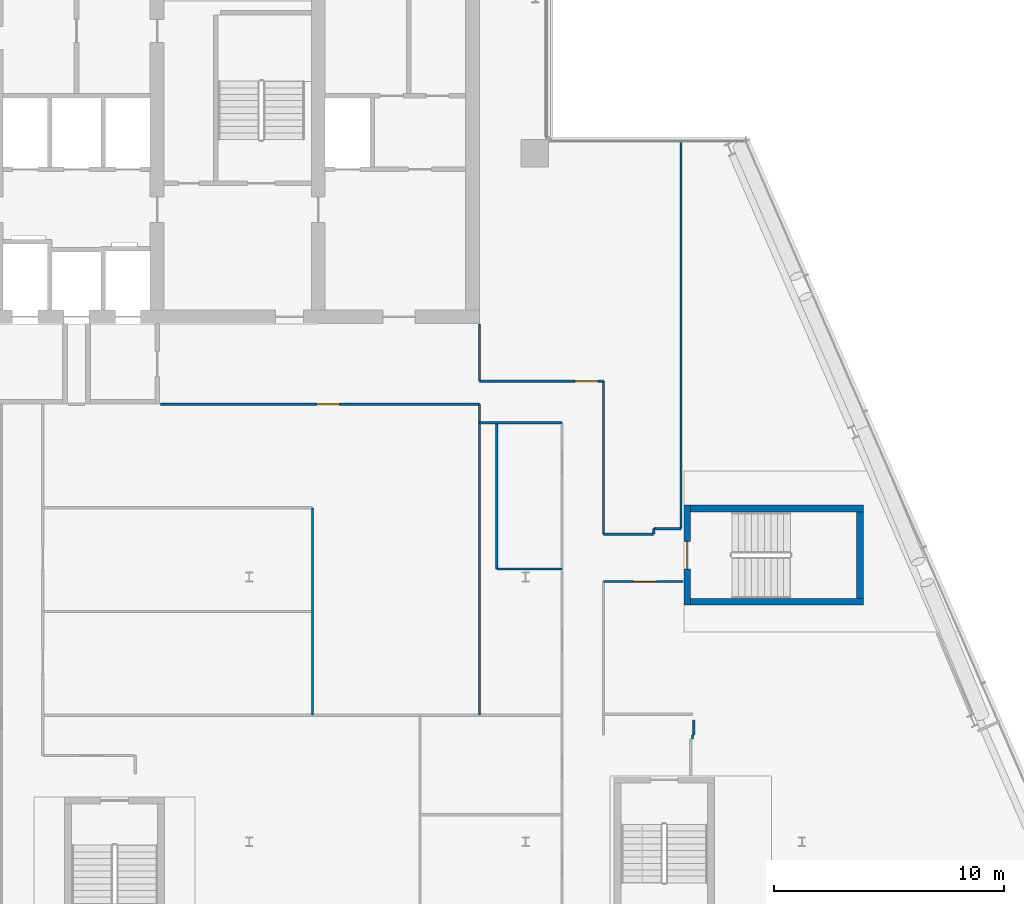
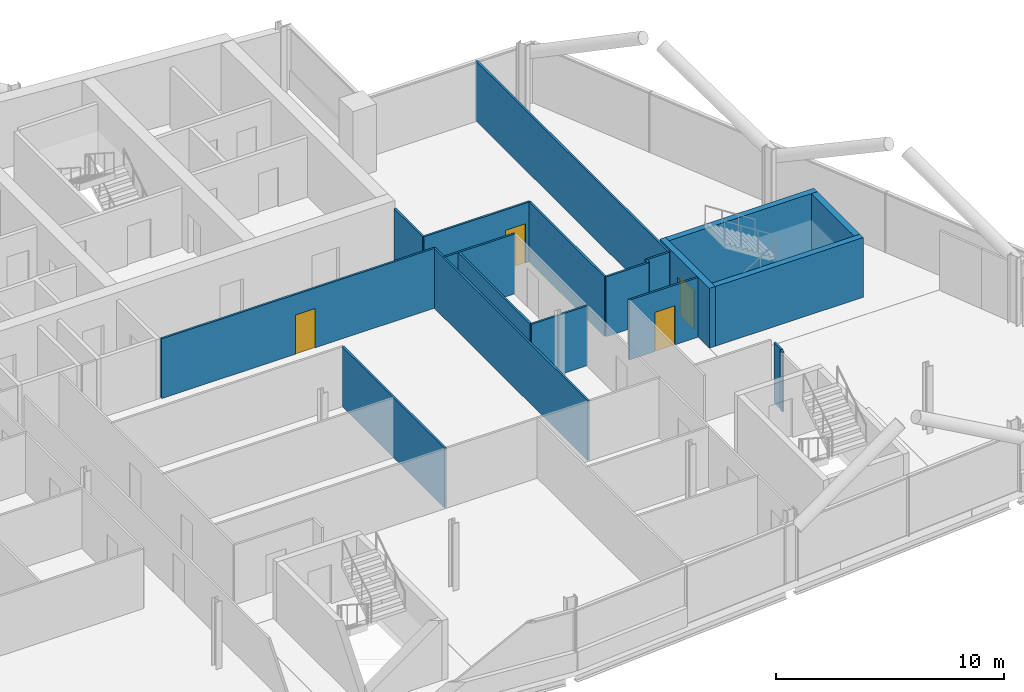
# One storey, part 17 of 25: 20 walls, 4 doors, 4 openings.
"""IFC4 building model written with IfcOpenShell, lengths in metres."""

import ifcopenshell
import ifcopenshell.guid

model = None  # the IFC model being written
_history = None  # IfcOwnerHistory: only IFC2X3 demands one
_inside = {}  # id of a spatial element -> (the spatial element, [elements in it])
_under = {}  # id of a project, library or spatial element -> (it, [spatial elements below it])
_declared = {}  # id of a project -> (the project, [libraries it declares])
_typed = {}  # id of a type object -> (the type object, [elements of that type])
_made_of = {}  # id of a material, layer set ... -> (it, [elements and type objects made of it])


def new_model(schema):
    """Start an empty IFC model of exactly this schema.

    Asked for "IFC4X3", IfcOpenShell would pick the latest addendum, in which some entities
    have other attributes; the version numbers below select the first issue.
    IFC2X3 requires an IfcOwnerHistory on every rooted entity: one is made here for all.
    """
    global model, _history
    if schema == "IFC4X3":
        model = ifcopenshell.file(schema_version=(4, 3, 0, 0))
    else:
        model = ifcopenshell.file(schema=schema)
    _inside.clear()
    _under.clear()
    _declared.clear()
    _typed.clear()
    _made_of.clear()
    _history = None
    if model.schema == "IFC2X3":
        org = make("IfcOrganization", Name="unknown")
        user = make(
            "IfcPersonAndOrganization",
            ThePerson=make("IfcPerson", FamilyName="unknown"),
            TheOrganization=org,
        )
        app = make(
            "IfcApplication",
            ApplicationDeveloper=org,
            Version="unknown",
            ApplicationFullName="unknown",
            ApplicationIdentifier="unknown",
        )
        _history = make(
            "IfcOwnerHistory",
            OwningUser=user,
            OwningApplication=app,
            ChangeAction="ADDED",
            CreationDate=0,
        )
    return model


def make(cls, **values):
    """One entity of the class cls with the attributes given. An attribute that is None is left unset."""
    return model.create_entity(
        cls, **{name: value for name, value in values.items() if value is not None}
    )


def rooted(cls, **values):
    """An entity with a GlobalId (a new one), such as an element, a storey or a relation."""
    return make(cls, GlobalId=ifcopenshell.guid.new(), OwnerHistory=_history, **values)


def si_unit(unit_type, name, prefix=None):
    """IfcSIUnit, for example si_unit("LENGTHUNIT", "METRE", prefix="MILLI")."""
    return make("IfcSIUnit", UnitType=unit_type, Prefix=prefix, Name=name)


def assignment(units):
    """IfcUnitAssignment: the units of a project."""
    return None if units is None else make("IfcUnitAssignment", Units=units)


def point(xyz):
    """IfcCartesianPoint."""
    return None if xyz is None else make("IfcCartesianPoint", Coordinates=xyz)


def direction(xyz):
    """IfcDirection."""
    return None if xyz is None else make("IfcDirection", DirectionRatios=xyz)


def frame(location, z_axis=None, x_axis=None):
    """IfcAxis2Placement3D, a coordinate frame: its origin and axes. An axis left out is left unset."""
    return make(
        "IfcAxis2Placement3D",
        Location=point(location),
        Axis=direction(z_axis),
        RefDirection=direction(x_axis),
    )


def frame_2d(location, x_axis=None):
    """IfcAxis2Placement2D, a coordinate frame in the plane: its origin and x axis."""
    return make(
        "IfcAxis2Placement2D", Location=point(location), RefDirection=direction(x_axis)
    )


def origin():
    """The frame at (0, 0, 0) with its axes left unset."""
    return frame((0.0, 0.0, 0.0))


def place(relative_to, where):
    """IfcLocalPlacement: puts the frame where relative to a parent placement (None: the world)."""
    return make(
        "IfcLocalPlacement", PlacementRelTo=relative_to, RelativePlacement=where
    )


def context(
    kind, dimensions, precision=None, world=None, true_north=None, identifier=None
):
    """IfcGeometricRepresentationContext, for example the 3D "Model" context."""
    return make(
        "IfcGeometricRepresentationContext",
        ContextIdentifier=identifier,
        ContextType=kind,
        CoordinateSpaceDimension=dimensions,
        Precision=precision,
        WorldCoordinateSystem=world,
        TrueNorth=true_north,
    )


def subcontext(parent, identifier, kind, view, scale=None):
    """IfcGeometricRepresentationSubContext, for example "Body" below "Model"."""
    return make(
        "IfcGeometricRepresentationSubContext",
        ContextIdentifier=identifier,
        ContextType=kind,
        ParentContext=parent,
        TargetScale=scale,
        TargetView=view,
    )


def project(units=None, contexts=None):
    """IfcProject with its units and contexts."""
    return rooted(
        "IfcProject",
        Name="project",
        RepresentationContexts=contexts,
        UnitsInContext=assignment(units),
    )


def spatial(cls, under=None, at=None, **own):
    """A site, building, storey or space (cls), placed at a placement, below another one or the project."""
    s = rooted(cls, ObjectPlacement=at, **own)
    if under is not None:
        _under.setdefault(under.id(), (under, []))[1].append(s)
    return s


def profile(cls, at=None, kind="AREA", **sizes):
    """A parametric profile (cls). Its sizes go by their IFC names, for example OverallWidth=200.0."""
    return make(cls, ProfileType=kind, Position=at, **sizes)


def rectangle(**sizes):
    """IfcRectangleProfileDef."""
    return profile("IfcRectangleProfileDef", **sizes)


def extrude(swept, where, along, depth):
    """IfcExtrudedAreaSolid: the profile swept, set in the frame where, extruded along a direction by depth."""
    return make(
        "IfcExtrudedAreaSolid",
        SweptArea=swept,
        Position=where,
        ExtrudedDirection=direction(along),
        Depth=depth,
    )


def shape(context_of_items, identifier, shape_type, items):
    """IfcShapeRepresentation: the items that make up one representation, for example the "Body"."""
    return make(
        "IfcShapeRepresentation",
        ContextOfItems=context_of_items,
        RepresentationIdentifier=identifier,
        RepresentationType=shape_type,
        Items=items,
    )


def material(Name=None, Category=None):
    """IfcMaterial."""
    return make("IfcMaterial", Name=Name, Category=Category)


def layer(
    of_material, thickness, ventilated=None, Name=None, Category=None, Priority=None
):
    """IfcMaterialLayer: one layer of a wall or slab, of a material (None: an air gap)."""
    return make(
        "IfcMaterialLayer",
        Material=of_material,
        LayerThickness=thickness,
        IsVentilated=ventilated,
        Name=Name,
        Category=Category,
        Priority=Priority,
    )


def layer_set(layers, Name=None):
    """IfcMaterialLayerSet."""
    return make("IfcMaterialLayerSet", MaterialLayers=layers, LayerSetName=Name)


def made_of(thing, what):
    """Note that an element or type object is made of a material, layer set ...; save() writes the relation."""
    if what is not None:
        _made_of.setdefault(what.id(), (what, []))[1].append(thing)
    return thing


def type_object(cls, material=None, **own):
    """A type object (cls), such as IfcWallType, which elements share."""
    return made_of(rooted(cls, **own), material)


def element(
    cls,
    number,
    at=None,
    inside=None,
    cuts=None,
    type_object=None,
    material=None,
    context=None,
    identifier="Body",
    shape_type=None,
    held_by="IfcProductDefinitionShape",
    body=None,
    shapes=None,
    **own,
):
    """One element of the class cls, such as IfcWall. Its Tag is "e" and its number.

    at: its placement. inside: the storey or other place that contains it. cuts: it is an
    opening in that element (IfcRelVoidsElement). A single representation is given by context,
    identifier, shape_type and body (its items); several are given by shapes. held_by: the class
    of the entity that holds the representations. save() writes the other relations.
    """
    e = rooted(cls, Tag="e%d" % number, ObjectPlacement=at, **own)
    if body is not None:
        shapes = [shape(context, identifier, shape_type, body)]
    if shapes is not None:
        e.Representation = make(held_by, Representations=shapes)
    if inside is not None:
        _inside.setdefault(inside.id(), (inside, []))[1].append(e)
    if cuts is not None:
        rooted(
            "IfcRelVoidsElement", RelatingBuildingElement=cuts, RelatedOpeningElement=e
        )
    if type_object is not None:
        _typed.setdefault(type_object.id(), (type_object, []))[1].append(e)
    return made_of(e, material)


def fill(opening, filler):
    """IfcRelFillsElement: the door or window that sits in an opening."""
    return rooted(
        "IfcRelFillsElement",
        RelatingOpeningElement=opening,
        RelatedBuildingElement=filler,
    )


def aggregate(whole, parts):
    """IfcRelAggregates: a whole, such as a stair, and the parts it consists of."""
    return rooted("IfcRelAggregates", RelatingObject=whole, RelatedObjects=parts)


def save(model, path):
    """Write the relations noted so far, then the file.

    IfcRelAggregates (storeys below a building ...), IfcRelContainedInSpatialStructure (elements
    in a storey), IfcRelDefinesByType, IfcRelAssociatesMaterial and IfcRelDeclares: one each for
    every whole, place, type object, material and project.
    """
    for whole, parts in _under.values():
        aggregate(whole, parts)
    for where, things in _inside.values():
        rooted(
            "IfcRelContainedInSpatialStructure",
            RelatedElements=things,
            RelatingStructure=where,
        )
    for kind, things in _typed.values():
        rooted("IfcRelDefinesByType", RelatedObjects=things, RelatingType=kind)
    for what, things in _made_of.values():
        rooted("IfcRelAssociatesMaterial", RelatedObjects=things, RelatingMaterial=what)
    for by, libraries in _declared.values():
        rooted("IfcRelDeclares", RelatingContext=by, RelatedDefinitions=libraries)
    model.write(path)


model = new_model("IFC4")

# Units and contexts
model_context = context("Model", 3, precision=1e-05, world=origin(), true_north=direction((0.0, 1.0)))
body_context = subcontext(model_context, "Body", "Model", "MODEL_VIEW")
ifc_project = project(units=[si_unit("LENGTHUNIT", "METRE"), si_unit("AREAUNIT", "SQUARE_METRE"), si_unit("VOLUMEUNIT", "CUBIC_METRE"), si_unit("PLANEANGLEUNIT", "RADIAN"), si_unit("MASSUNIT", "GRAM", prefix="KILO")], contexts=[model_context])

# Site, building, storey
site_placement = place(None, origin())
site = spatial("IfcSite", under=ifc_project, at=site_placement, CompositionType="ELEMENT")
building_placement = place(site_placement, origin())
building = spatial("IfcBuilding", under=site, at=building_placement, Name="Wharfspan Tower", CompositionType="ELEMENT")
storey_placement = place(building_placement, frame((0.0, 0.0, 225.100098)))
storey = spatial("IfcBuildingStorey", under=building, at=storey_placement, Name="L56", CompositionType="ELEMENT", Elevation=225.100098)

# Walls
ifc_material_1 = material(Name="Gypsum board on steel studs", Category="steel")
ifc_layer_1 = layer(ifc_material_1, 0.100098)
ifc_layer_set_1 = layer_set([ifc_layer_1], Name="Gypsum board on steel studs")
wall_type_1 = type_object("IfcWallType", Name="Compartment wall 100 EI 60", PredefinedType="PARTITIONING", material=ifc_layer_set_1)
wall_1_placement = place(storey_placement, frame((58.0, 17.0, 0.0), z_axis=(0.0, 0.0, 1.0), x_axis=(0.0, 1.0, 0.0)))
element("IfcWall", 1, at=wall_1_placement, inside=storey, type_object=wall_type_1, Name="Partition L56.w033", PredefinedType="PARTITIONING", context=body_context, shape_type="SweptSolid", body=[
    extrude(rectangle(XDim=13.5, YDim=0.100098, at=frame_2d((6.75, 0.0))), origin(), (0.0, 0.0, 1.0), 3.199951),
])
wall_2_placement = place(storey_placement, frame((58.0, 29.699951, 0.0), z_axis=(0.0, 0.0, 1.0), x_axis=(1.0, 0.0, 0.0)))
element("IfcWall", 2, at=wall_2_placement, inside=storey, type_object=wall_type_1, Name="Partition L56.w034", PredefinedType="PARTITIONING", context=body_context, shape_type="SweptSolid", body=[
    extrude(rectangle(XDim=3.580078, YDim=0.100098, at=frame_2d((1.790039, 0.0))), origin(), (0.0, 0.0, 1.0), 3.199951),
])
wall_3_placement = place(storey_placement, frame((58.0, 31.5, 0.0), z_axis=(0.0, 0.0, 1.0), x_axis=(0.0, 1.0, 0.0)))
element("IfcWall", 3, at=wall_3_placement, inside=storey, type_object=wall_type_1, Name="Partition L56.w035", PredefinedType="PARTITIONING", context=body_context, shape_type="SweptSolid", body=[
    extrude(rectangle(XDim=2.47998, YDim=0.100098, at=frame_2d((1.23999, 0.0))), origin(), (0.0, 0.0, 1.0), 3.199951),
])

# Wall, opening, door
wall_4_placement = place(storey_placement, frame((58.0, 31.5, 0.0), z_axis=(0.0, 0.0, 1.0), x_axis=(1.0, 0.0, 0.0)))
wall_4 = element("IfcWall", 4, at=wall_4_placement, inside=storey, type_object=wall_type_1, Name="Partition L56.w036", PredefinedType="PARTITIONING", context=body_context, shape_type="SweptSolid", body=[
    extrude(rectangle(XDim=5.379883, YDim=0.100098, at=frame_2d((2.689941, 0.0))), origin(), (0.0, 0.0, 1.0), 3.199951),
])
opening_1_placement = place(wall_4_placement, frame((4.13501, 0.0, 0.0)))
opening_1 = element("IfcOpeningElement", 5, at=opening_1_placement, cuts=wall_4, Name="Opening D3-17", PredefinedType="OPENING", context=body_context, shape_type="SweptSolid", body=[
    extrude(rectangle(XDim=1.0, YDim=2.100098, at=frame_2d((0.5, 1.050049))), frame((0.0, 0.060059, 0.0), z_axis=(0.0, -1.0, 0.0), x_axis=(1.0, 0.0, 0.0)), (0.0, 0.0, 1.0), 0.120117),
])
ifc_material_2 = material(Name="Fire-rated timber door leaf in steel frame", Category="steel")
door_type_1 = type_object("IfcDoorType", Name="Door 1000 FD30S Right", OperationType="SINGLE_SWING_RIGHT", PredefinedType="DOOR", material=ifc_material_2)
door_1_placement = place(opening_1_placement, origin())
door_1 = element("IfcDoor", 6, at=door_1_placement, inside=storey, type_object=door_type_1, Name="Door D3-17", OperationType="SINGLE_SWING_RIGHT", OverallHeight=2.100098, OverallWidth=1.0, PredefinedType="DOOR", context=body_context, shape_type="SweptSolid", body=[
    extrude(rectangle(XDim=1.0, YDim=2.100098, at=frame_2d((0.5, 1.050049))), frame((0.0, 0.024902, 0.0), z_axis=(0.0, -1.0, 0.0), x_axis=(1.0, 0.0, 0.0)), (0.0, 0.0, 1.0), 0.050049),
])
fill(opening_1, door_1)

# Walls
wall_5_placement = place(storey_placement, frame((58.75, 23.350098, 0.0), z_axis=(0.0, 0.0, 1.0), x_axis=(0.0, 1.0, 0.0)))
element("IfcWall", 7, at=wall_5_placement, inside=storey, type_object=wall_type_1, Name="Partition L56.w037", PredefinedType="PARTITIONING", context=body_context, shape_type="SweptSolid", body=[
    extrude(rectangle(XDim=6.349854, YDim=0.100098, at=frame_2d((3.174805, 0.0))), origin(), (0.0, 0.0, 1.0), 3.199951),
])
wall_6_placement = place(storey_placement, frame((58.75, 23.350098, 0.0), z_axis=(0.0, 0.0, 1.0), x_axis=(1.0, 0.0, 0.0)))
element("IfcWall", 8, at=wall_6_placement, inside=storey, type_object=wall_type_1, Name="Partition L56.w038", PredefinedType="PARTITIONING", context=body_context, shape_type="SweptSolid", body=[
    extrude(rectangle(XDim=2.830078, YDim=0.100098, at=frame_2d((1.415039, 0.0))), origin(), (0.0, 0.0, 1.0), 3.199951),
])

# Wall, opening, door
wall_7_placement = place(storey_placement, frame((63.379883, 22.800049, 0.0), z_axis=(0.0, 0.0, 1.0), x_axis=(1.0, 0.0, 0.0)))
wall_7 = element("IfcWall", 9, at=wall_7_placement, inside=storey, type_object=wall_type_1, Name="Partition L56.w042", PredefinedType="PARTITIONING", context=body_context, shape_type="SweptSolid", body=[
    extrude(rectangle(XDim=3.469727, YDim=0.100098, at=frame_2d((1.734863, 0.0))), origin(), (0.0, 0.0, 1.0), 3.199951),
])
opening_2_placement = place(wall_7_placement, frame((1.300049, 0.0, 0.0)))
opening_2 = element("IfcOpeningElement", 10, at=opening_2_placement, cuts=wall_7, Name="Opening D3-09", PredefinedType="OPENING", context=body_context, shape_type="SweptSolid", body=[
    extrude(rectangle(XDim=1.0, YDim=2.100098, at=frame_2d((0.5, 1.050049))), frame((0.0, 0.060059, 0.0), z_axis=(0.0, -1.0, 0.0), x_axis=(1.0, 0.0, 0.0)), (0.0, 0.0, 1.0), 0.120117),
])
door_2_placement = place(opening_2_placement, origin())
door_2 = element("IfcDoor", 11, at=door_2_placement, inside=storey, type_object=door_type_1, Name="Door D3-09", OperationType="SINGLE_SWING_RIGHT", OverallHeight=2.100098, OverallWidth=1.0, PredefinedType="DOOR", context=body_context, shape_type="SweptSolid", body=[
    extrude(rectangle(XDim=1.0, YDim=2.100098, at=frame_2d((0.5, 1.050049))), frame((0.0, 0.024902, 0.0), z_axis=(0.0, -1.0, 0.0), x_axis=(1.0, 0.0, 0.0)), (0.0, 0.0, 1.0), 0.050049),
])
fill(opening_2, door_2)

# Walls
wall_8_placement = place(storey_placement, frame((63.379883, 24.85498, 0.0), z_axis=(0.0, 0.0, 1.0), x_axis=(0.0, 1.0, 0.0)))
element("IfcWall", 12, at=wall_8_placement, inside=storey, type_object=wall_type_1, Name="Partition L56.w043", PredefinedType="PARTITIONING", context=body_context, shape_type="SweptSolid", body=[
    extrude(rectangle(XDim=6.64502, YDim=0.100098, at=frame_2d((3.32251, 0.0))), origin(), (0.0, 0.0, 1.0), 3.199951),
])
wall_9_placement = place(storey_placement, frame((63.38501, 24.850098, 0.0), z_axis=(0.0, 0.0, 1.0), x_axis=(1.0, 0.0, 0.0)))
element("IfcWall", 13, at=wall_9_placement, inside=storey, type_object=wall_type_1, Name="Partition L56.w045", PredefinedType="PARTITIONING", context=body_context, shape_type="SweptSolid", body=[
    extrude(rectangle(XDim=2.179932, YDim=0.100098, at=frame_2d((1.089844, 0.0))), origin(), (0.0, 0.0, 1.0), 3.199951),
])
wall_10_placement = place(storey_placement, frame((65.570068, 24.85498, 0.0), z_axis=(0.0, 0.0, 1.0), x_axis=(0.0, 1.0, 0.0)))
element("IfcWall", 14, at=wall_10_placement, inside=storey, type_object=wall_type_1, Name="Partition L56.w047", PredefinedType="PARTITIONING", context=body_context, shape_type="SweptSolid", body=[
    extrude(rectangle(XDim=0.23999, YDim=0.100098, at=frame_2d((0.120117, 0.0))), origin(), (0.0, 0.0, 1.0), 3.199951),
])
wall_11_placement = place(storey_placement, frame((65.570068, 25.100098, 0.0), z_axis=(0.0, 0.0, 1.0), x_axis=(1.0, 0.0, 0.0)))
element("IfcWall", 15, at=wall_11_placement, inside=storey, type_object=wall_type_1, Name="Partition L56.w048", PredefinedType="PARTITIONING", context=body_context, shape_type="SweptSolid", body=[
    extrude(rectangle(XDim=1.179932, YDim=0.100098, at=frame_2d((0.589844, 0.0))), origin(), (0.0, 0.0, 1.0), 3.199951),
])
wall_12_placement = place(storey_placement, frame((66.75, 25.100098, 0.0), z_axis=(0.0, 0.0, 1.0), x_axis=(0.0, 1.0, 0.0)))
element("IfcWall", 16, at=wall_12_placement, inside=storey, type_object=wall_type_1, Name="Partition L56.w049", PredefinedType="PARTITIONING", context=body_context, shape_type="SweptSolid", body=[
    extrude(rectangle(XDim=16.879883, YDim=0.100098, at=frame_2d((8.439941, 0.0))), origin(), (0.0, 0.0, 1.0), 3.199951),
])
wall_13_placement = place(storey_placement, frame((67.25, 15.955078, 0.0), z_axis=(0.0, 0.0, 1.0), x_axis=(0.0, 1.0, 0.0)))
element("IfcWall", 17, at=wall_13_placement, inside=storey, type_object=wall_type_1, Name="Partition L56.w051", PredefinedType="PARTITIONING", context=body_context, shape_type="SweptSolid", body=[
    extrude(rectangle(XDim=0.189941, YDim=0.100098, at=frame_2d((0.094971, 0.0))), origin(), (0.0, 0.0, 1.0), 3.199951),
])
wall_14_placement = place(storey_placement, frame((67.300049, 16.14502, 0.0), z_axis=(0.0, 0.0, 1.0), x_axis=(0.0, 1.0, 0.0)))
element("IfcWall", 18, at=wall_14_placement, inside=storey, type_object=wall_type_1, Name="Partition L56.w052", PredefinedType="PARTITIONING", context=body_context, shape_type="SweptSolid", body=[
    extrude(rectangle(XDim=0.639893, YDim=0.100098, at=frame_2d((0.319824, 0.0))), origin(), (0.0, 0.0, 1.0), 3.199951),
])

# Wall, opening, door
wall_15_placement = place(storey_placement, frame((44.149902, 30.5, 0.0), z_axis=(0.0, 0.0, 1.0), x_axis=(1.0, 0.0, 0.0)))
wall_15 = element("IfcWall", 19, at=wall_15_placement, inside=storey, type_object=wall_type_1, Name="Partition L56.w025 (2)", PredefinedType="PARTITIONING", context=body_context, shape_type="SweptSolid", body=[
    extrude(rectangle(XDim=13.850098, YDim=0.100098, at=frame_2d((6.925049, 0.0))), origin(), (0.0, 0.0, 1.0), 3.199951),
])
opening_3_placement = place(wall_15_placement, frame((6.77002, 0.0, 0.0)))
opening_3 = element("IfcOpeningElement", 20, at=opening_3_placement, cuts=wall_15, Name="Opening D3-16", PredefinedType="OPENING", context=body_context, shape_type="SweptSolid", body=[
    extrude(rectangle(XDim=1.0, YDim=2.100098, at=frame_2d((0.5, 1.050049))), frame((0.0, 0.060059, 0.0), z_axis=(0.0, -1.0, 0.0), x_axis=(1.0, 0.0, 0.0)), (0.0, 0.0, 1.0), 0.120117),
])
door_3_placement = place(opening_3_placement, origin())
door_3 = element("IfcDoor", 21, at=door_3_placement, inside=storey, type_object=door_type_1, Name="Door D3-16", OperationType="SINGLE_SWING_RIGHT", OverallHeight=2.100098, OverallWidth=1.0, PredefinedType="DOOR", context=body_context, shape_type="SweptSolid", body=[
    extrude(rectangle(XDim=1.0, YDim=2.100098, at=frame_2d((0.5, 1.050049))), frame((0.0, 0.024902, 0.0), z_axis=(0.0, -1.0, 0.0), x_axis=(1.0, 0.0, 0.0)), (0.0, 0.0, 1.0), 0.050049),
])
fill(opening_3, door_3)

# Wall
ifc_layer_2 = layer(ifc_material_1, 0.100098)
ifc_layer_set_2 = layer_set([ifc_layer_2], Name="Gypsum board on steel studs")
wall_type_2 = type_object("IfcWallType", Name="Partition 100", PredefinedType="PARTITIONING", material=ifc_layer_set_2)
wall_16_placement = place(storey_placement, frame((50.75, 17.0, 0.0), z_axis=(0.0, 0.0, 1.0), x_axis=(0.0, 1.0, 0.0)))
element("IfcWall", 22, at=wall_16_placement, inside=storey, type_object=wall_type_2, Name="Partition L56.w027", PredefinedType="PARTITIONING", context=body_context, shape_type="SweptSolid", body=[
    extrude(rectangle(XDim=9.0, YDim=0.100098, at=frame_2d((4.5, 0.0))), origin(), (0.0, 0.0, 1.0), 3.199951),
])

# Wall, opening, door
ifc_material_3 = material(Name="Concrete C40/50", Category="concrete")
ifc_layer_3 = layer(ifc_material_3, 0.300049)
ifc_layer_set_3 = layer_set([ifc_layer_3], Name="Concrete C40/50")
wall_type_3 = type_object("IfcWallType", Name="Stair core wall 300", PredefinedType="SHEAR", material=ifc_layer_set_3)
wall_17_placement = place(storey_placement, frame((67.019531, 21.774902, 0.0), z_axis=(0.0, 0.0, 1.0), x_axis=(0.0, 1.0, 0.0)))
wall_17 = element("IfcWall", 23, at=wall_17_placement, inside=storey, type_object=wall_type_3, Name="ST6 stair enclosure wall L56", PredefinedType="SHEAR", context=body_context, shape_type="SweptSolid", body=[
    extrude(rectangle(XDim=4.350098, YDim=0.300049, at=frame_2d((2.175049, 0.0))), origin(), (0.0, 0.0, 1.0), 3.199951),
])
opening_4_placement = place(wall_17_placement, frame((1.574951, 0.0, 0.0)))
opening_4 = element("IfcOpeningElement", 24, at=opening_4_placement, cuts=wall_17, Name="Opening SD6.L56", PredefinedType="OPENING", context=body_context, shape_type="SweptSolid", body=[
    extrude(rectangle(XDim=1.199951, YDim=2.100098, at=frame_2d((0.600098, 1.050049))), frame((0.0, 0.159912, 0.0), z_axis=(0.0, -1.0, 0.0), x_axis=(1.0, 0.0, 0.0)), (0.0, 0.0, 1.0), 0.320068),
])
ifc_material_4 = material(Name="Steel door leaf", Category="steel")
door_type_2 = type_object("IfcDoorType", Name="Stair door 1200x2100", OperationType="SINGLE_SWING_LEFT", PredefinedType="DOOR", material=ifc_material_4)
door_4_placement = place(opening_4_placement, origin())
door_4 = element("IfcDoor", 25, at=door_4_placement, inside=storey, type_object=door_type_2, Name="sd:L56:ST6z4", OperationType="SINGLE_SWING_RIGHT", OverallHeight=2.100098, OverallWidth=1.199951, PredefinedType="DOOR", context=body_context, shape_type="SweptSolid", body=[
    extrude(rectangle(XDim=1.199951, YDim=2.100098, at=frame_2d((0.600098, 1.050049))), frame((0.0, 0.024902, 0.0), z_axis=(0.0, -1.0, 0.0), x_axis=(1.0, 0.0, 0.0)), (0.0, 0.0, 1.0), 0.050049),
])
fill(opening_4, door_4)

# Walls
for number, where, z_axis, x_axis, name in (
    (26, (67.169678, 21.925049, 0.0), (0.0, 0.0, 1.0), (1.0, 0.0, 0.0), "ST6 stair enclosure wall L56"),
    (27, (67.169678, 25.975098, 0.0), (0.0, 0.0, 1.0), (1.0, 0.0, 0.0), "ST6 stair enclosure wall L56"),
):
    element("IfcWall", number, at=place(storey_placement, frame(where, z_axis=z_axis, x_axis=x_axis)), inside=storey, type_object=wall_type_3, Name=name, PredefinedType="SHEAR", context=body_context, shape_type="SweptSolid", body=[
        extrude(rectangle(XDim=7.5, YDim=0.300049, at=frame_2d((3.75, 0.0))), origin(), (0.0, 0.0, 1.0), 3.199951),
    ])
wall_18_placement = place(storey_placement, frame((74.519531, 22.074951, 0.0), z_axis=(0.0, 0.0, 1.0), x_axis=(0.0, 1.0, 0.0)))
element("IfcWall", 28, at=wall_18_placement, inside=storey, type_object=wall_type_3, Name="ST6 stair enclosure wall L56", PredefinedType="SHEAR", context=body_context, shape_type="SweptSolid", body=[
    extrude(rectangle(XDim=3.75, YDim=0.300049, at=frame_2d((1.875, 0.0))), origin(), (0.0, 0.0, 1.0), 3.199951),
])

save(model, "model.ifc")
